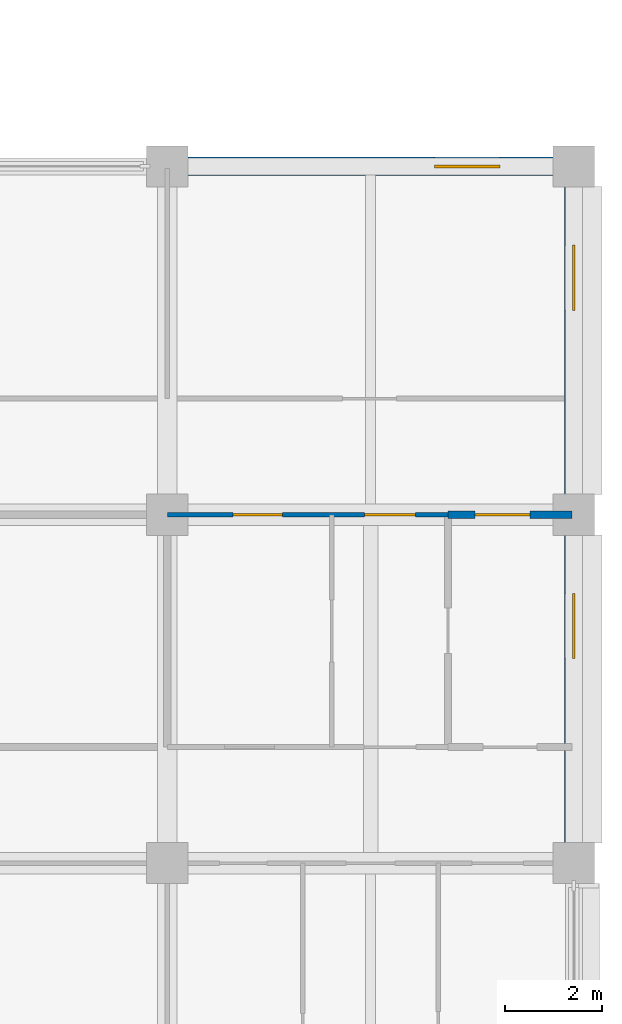
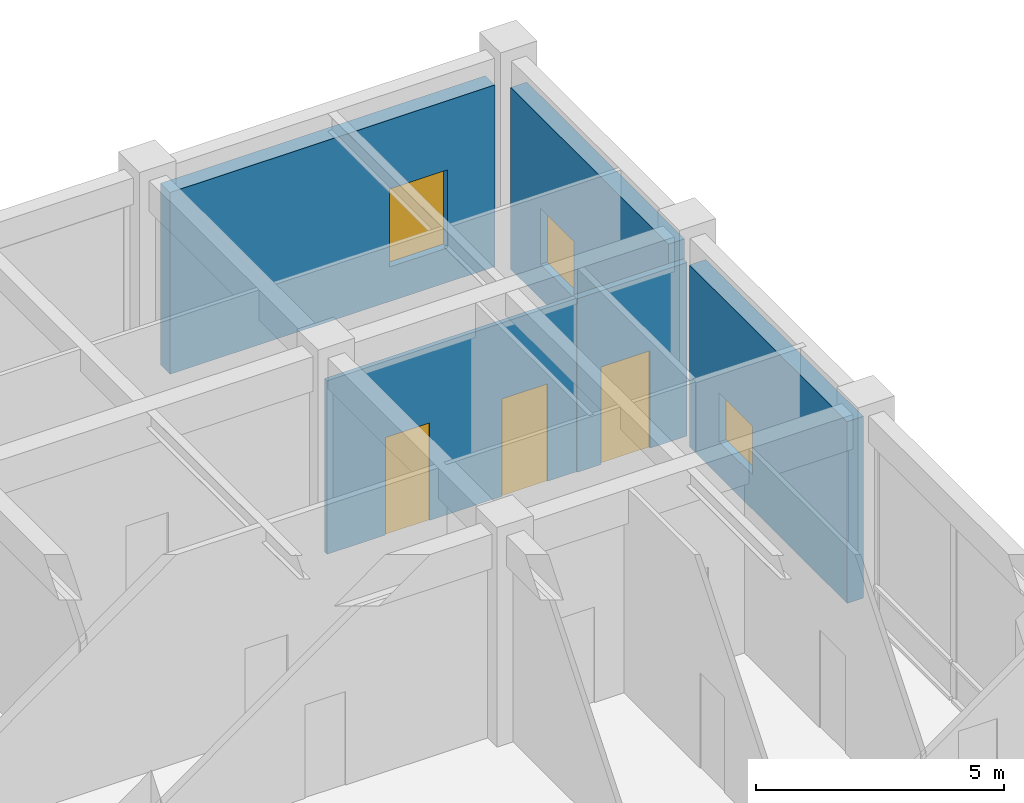
# One storey, part 42 of 51: 5 walls, 3 doors, 3 windows, 6 openings.
"""IFC4 building model written with IfcOpenShell, lengths in metres."""

from ifc_helpers import new_model, si_unit, direction, frame, frame_2d, origin, place, context, subcontext, project, spatial, rectangle, extrude, material, layer, layer_set, type_object, element, fill, save


model = new_model("IFC4")

# Units and contexts
model_context = context("Model", 3, precision=1e-05, world=origin(), true_north=direction((0.0, 1.0)))
body_context = subcontext(model_context, "Body", "Model", "MODEL_VIEW")
ifc_project = project(units=[si_unit("LENGTHUNIT", "METRE"), si_unit("AREAUNIT", "SQUARE_METRE"), si_unit("VOLUMEUNIT", "CUBIC_METRE"), si_unit("PLANEANGLEUNIT", "RADIAN"), si_unit("MASSUNIT", "GRAM", prefix="KILO")], contexts=[model_context])

# Site, building, storey
site_placement = place(None, origin())
site = spatial("IfcSite", under=ifc_project, at=site_placement, CompositionType="ELEMENT")
building_placement = place(site_placement, origin())
building = spatial("IfcBuilding", under=site, at=building_placement, Name="Chengyuan Square Courthouse", CompositionType="ELEMENT")
storey_placement = place(building_placement, frame((0.0, 0.0, 10.800048828125)))
storey = spatial("IfcBuildingStorey", under=building, at=storey_placement, Name="L03", CompositionType="ELEMENT", Elevation=10.800048828125)

# Wall, opening, window
ifc_material_1 = material(Name="Concrete C40", Category="concrete")
ifc_layer_1 = layer(ifc_material_1, 0.3798828125)
ifc_layer_set_1 = layer_set([ifc_layer_1], Name="Concrete C40")
wall_type_1 = type_object("IfcWallType", Name="WL-EW1", PredefinedType="STANDARD", material=ifc_layer_set_1)
wall_1_placement = place(storey_placement, frame((168.0, 94.02001953125, 0.0), z_axis=(0.0, 0.0, 1.0), x_axis=(0.0, 1.0, 0.0)))
wall_1 = element("IfcWall", 1, at=wall_1_placement, inside=storey, type_object=wall_type_1, Name="Exterior Wall WL-L03-E294", PredefinedType="STANDARD", context=body_context, shape_type="SweptSolid", body=[
    extrude(rectangle(XDim=6.35986328125, YDim=0.3798828125, at=frame_2d((3.179931640625, 0.0))), origin(), (0.0, 0.0, 1.0), 4.469970703125),
])
opening_1_placement = place(wall_1_placement, frame((3.804931640625, 0.0, 0.85009765625)))
opening_1 = element("IfcOpeningElement", 2, at=opening_1_placement, cuts=wall_1, Name="Opening WN-080", PredefinedType="OPENING", context=body_context, shape_type="SweptSolid", body=[
    extrude(rectangle(XDim=1.35009765625, YDim=1.199951171875, at=frame_2d((0.675048828125, 0.60009765625))), frame((0.0, 0.201904296875, 0.0), z_axis=(0.0, -1.0, 0.0), x_axis=(1.0, 0.0, 0.0)), (0.0, 0.0, 1.0), 0.40380859375),
])
ifc_material_2 = material(Name="Thermally Broken Aluminium Triple Low-E Window", Category="aluminium")
window_type_1 = type_object("IfcWindowType", Name="WT-19", PartitioningType="SINGLE_PANEL", PredefinedType="WINDOW", material=ifc_material_2)
window_1_placement = place(opening_1_placement, origin())
window_1 = element("IfcWindow", 3, at=window_1_placement, inside=storey, type_object=window_type_1, Name="Facade Window WN-080", OverallHeight=1.199951171875, OverallWidth=1.35009765625, PartitioningType="SINGLE_PANEL", PredefinedType="WINDOW", context=body_context, shape_type="SweptSolid", body=[
    extrude(rectangle(XDim=1.35009765625, YDim=1.199951171875, at=frame_2d((0.675048828125, 0.60009765625))), frame((0.0, 0.030029296875, 0.0), z_axis=(0.0, -1.0, 0.0), x_axis=(1.0, 0.0, 0.0)), (0.0, 0.0, 1.0), 0.06005859375),
])
fill(opening_1, window_1)

wall_2_placement = place(storey_placement, frame((160.02001953125, 108.0, 0.0), z_axis=(0.0, 0.0, 1.0), x_axis=(1.0, 0.0, 0.0)))
wall_2 = element("IfcWall", 4, at=wall_2_placement, inside=storey, type_object=wall_type_1, Name="Exterior Wall WL-L03-E295", PredefinedType="STANDARD", context=body_context, shape_type="SweptSolid", body=[
    extrude(rectangle(XDim=7.56005859375, YDim=0.3798828125, at=frame_2d((3.780029296875, 0.0))), origin(), (0.0, 0.0, 1.0), 4.469970703125),
])
opening_2_placement = place(wall_2_placement, frame((5.10498046875, 0.0, 0.85009765625)))
opening_2 = element("IfcOpeningElement", 5, at=opening_2_placement, cuts=wall_2, Name="Opening WN-081", PredefinedType="OPENING", context=body_context, shape_type="SweptSolid", body=[
    extrude(rectangle(XDim=1.35009765625, YDim=1.919921875, at=frame_2d((0.675048828125, 0.9599609375))), frame((0.0, 0.201904296875, 0.0), z_axis=(0.0, -1.0, 0.0), x_axis=(1.0, 0.0, 0.0)), (0.0, 0.0, 1.0), 0.40380859375),
])
window_type_2 = type_object("IfcWindowType", Name="WT-23", PartitioningType="SINGLE_PANEL", PredefinedType="WINDOW", material=ifc_material_2)
window_2_placement = place(opening_2_placement, origin())
window_2 = element("IfcWindow", 6, at=window_2_placement, inside=storey, type_object=window_type_2, Name="Facade Window WN-081", OverallHeight=1.919921875, OverallWidth=1.35009765625, PartitioningType="SINGLE_PANEL", PredefinedType="WINDOW", context=body_context, shape_type="SweptSolid", body=[
    extrude(rectangle(XDim=1.35009765625, YDim=1.919921875, at=frame_2d((0.675048828125, 0.9599609375))), frame((0.0, 0.030029296875, 0.0), z_axis=(0.0, -1.0, 0.0), x_axis=(1.0, 0.0, 0.0)), (0.0, 0.0, 1.0), 0.06005859375),
])
fill(opening_2, window_2)

wall_3_placement = place(storey_placement, frame((168.0, 101.219970703125, 0.0), z_axis=(0.0, 0.0, 1.0), x_axis=(0.0, 1.0, 0.0)))
wall_3 = element("IfcWall", 7, at=wall_3_placement, inside=storey, type_object=wall_type_1, Name="Exterior Wall WL-L03-E296", PredefinedType="STANDARD", context=body_context, shape_type="SweptSolid", body=[
    extrude(rectangle(XDim=6.360107421875, YDim=0.3798828125, at=frame_2d((3.18017578125, 0.0))), origin(), (0.0, 0.0, 1.0), 4.469970703125),
])
opening_3_placement = place(wall_3_placement, frame((3.804931640625, 0.0, 0.85009765625)))
opening_3 = element("IfcOpeningElement", 8, at=opening_3_placement, cuts=wall_3, Name="Opening WN-082", PredefinedType="OPENING", context=body_context, shape_type="SweptSolid", body=[
    extrude(rectangle(XDim=1.35009765625, YDim=1.3798828125, at=frame_2d((0.675048828125, 0.68994140625))), frame((0.0, 0.201904296875, 0.0), z_axis=(0.0, -1.0, 0.0), x_axis=(1.0, 0.0, 0.0)), (0.0, 0.0, 1.0), 0.40380859375),
])
window_type_3 = type_object("IfcWindowType", Name="WT-20", PartitioningType="SINGLE_PANEL", PredefinedType="WINDOW", material=ifc_material_2)
window_3_placement = place(opening_3_placement, origin())
window_3 = element("IfcWindow", 9, at=window_3_placement, inside=storey, type_object=window_type_3, Name="Facade Window WN-082", OverallHeight=1.3798828125, OverallWidth=1.35009765625, PartitioningType="SINGLE_PANEL", PredefinedType="WINDOW", context=body_context, shape_type="SweptSolid", body=[
    extrude(rectangle(XDim=1.35009765625, YDim=1.3798828125, at=frame_2d((0.675048828125, 0.68994140625))), frame((0.0, 0.030029296875, 0.0), z_axis=(0.0, -1.0, 0.0), x_axis=(1.0, 0.0, 0.0)), (0.0, 0.0, 1.0), 0.06005859375),
])
fill(opening_3, window_3)

# Wall, opening, door
ifc_material_3 = material(Name="Deliberation Room Sound-Insulated Partition")
ifc_layer_2 = layer(ifc_material_3, 0.14990234375)
ifc_layer_set_2 = layer_set([ifc_layer_2], Name="Deliberation Room Sound-Insulated Partition")
wall_type_2 = type_object("IfcWallType", Name="WL-PT3", PredefinedType="STANDARD", material=ifc_layer_set_2)
wall_4_placement = place(storey_placement, frame((165.39990234375, 100.800048828125, 0.0), z_axis=(0.0, 0.0, 1.0), x_axis=(1.0, 0.0, 0.0)))
wall_4 = element("IfcWall", 10, at=wall_4_placement, inside=storey, type_object=wall_type_2, Name="Interior Wall WL-L03-I1497", PredefinedType="STANDARD", context=body_context, shape_type="SweptSolid", body=[
    extrude(rectangle(XDim=2.56005859375, YDim=0.14990234375, at=frame_2d((1.280029296875, 0.0))), origin(), (0.0, 0.0, 1.0), 4.27001953125),
])
opening_4_placement = place(wall_4_placement, frame((0.5576171875, 0.0, 0.0)))
opening_4 = element("IfcOpeningElement", 11, at=opening_4_placement, cuts=wall_4, Name="Opening DR-1441", PredefinedType="OPENING", context=body_context, shape_type="SweptSolid", body=[
    extrude(rectangle(XDim=1.139892578125, YDim=2.39990234375, at=frame_2d((0.56982421875, 1.199951171875))), frame((0.0, 0.0869140625, 0.0), z_axis=(0.0, -1.0, 0.0), x_axis=(1.0, 0.0, 0.0)), (0.0, 0.0, 1.0), 0.173828125),
])
ifc_material_4 = material(Name="Acoustic Solid-Core Timber Door", Category="wood")
door_type_1 = type_object("IfcDoorType", Name="DT-43", OperationType="NOTDEFINED", PredefinedType="DOOR", material=ifc_material_4)
door_1_placement = place(opening_4_placement, origin())
door_1 = element("IfcDoor", 12, at=door_1_placement, inside=storey, type_object=door_type_1, Name="Interior Door DR-1441", OperationType="SINGLE_SWING_LEFT", OverallHeight=2.39990234375, OverallWidth=1.139892578125, PredefinedType="DOOR", context=body_context, shape_type="SweptSolid", body=[
    extrude(rectangle(XDim=1.139892578125, YDim=2.39990234375, at=frame_2d((0.56982421875, 1.199951171875))), frame((0.0, 0.02490234375, 0.0), z_axis=(0.0, -1.0, 0.0), x_axis=(1.0, 0.0, 0.0)), (0.0, 0.0, 1.0), 0.050048828125),
])
fill(opening_4, door_1)

# Wall, openings, doors
ifc_material_5 = material(Name="Gypsum Plasterboard Acoustic Stud Partition")
ifc_layer_3 = layer(ifc_material_5, 0.10009765625)
ifc_layer_set_3 = layer_set([ifc_layer_3], Name="Gypsum Plasterboard Acoustic Stud Partition")
wall_type_3 = type_object("IfcWallType", Name="WL-PT6", PredefinedType="STANDARD", material=ifc_layer_set_3)
wall_5_placement = place(storey_placement, frame((159.60009765625, 100.800048828125, 0.0), z_axis=(0.0, 0.0, 1.0), x_axis=(1.0, 0.0, 0.0)))
wall_5 = element("IfcWall", 13, at=wall_5_placement, inside=storey, type_object=wall_type_3, Name="Interior Wall WL-L03-I1496", PredefinedType="STANDARD", context=body_context, shape_type="SweptSolid", body=[
    extrude(rectangle(XDim=5.7998046875, YDim=0.10009765625, at=frame_2d((2.89990234375, 0.0))), origin(), (0.0, 0.0, 1.0), 4.27001953125),
])
opening_5_placement = place(wall_5_placement, frame((1.362548828125, 0.0, 0.0)))
opening_5 = element("IfcOpeningElement", 14, at=opening_5_placement, cuts=wall_5, Name="Opening DR-1439", PredefinedType="OPENING", context=body_context, shape_type="SweptSolid", body=[
    extrude(rectangle(XDim=1.02001953125, YDim=2.39990234375, at=frame_2d((0.510009765625, 1.199951171875))), frame((0.0, 0.06201171875, 0.0), z_axis=(0.0, -1.0, 0.0), x_axis=(1.0, 0.0, 0.0)), (0.0, 0.0, 1.0), 0.1240234375),
])
opening_6_placement = place(wall_5_placement, frame((4.070068359375, 0.0, 0.0)))
opening_6 = element("IfcOpeningElement", 15, at=opening_6_placement, cuts=wall_5, Name="Opening DR-1440", PredefinedType="OPENING", context=body_context, shape_type="SweptSolid", body=[
    extrude(rectangle(XDim=1.06005859375, YDim=2.39990234375, at=frame_2d((0.530029296875, 1.199951171875))), frame((0.0, 0.06201171875, 0.0), z_axis=(0.0, -1.0, 0.0), x_axis=(1.0, 0.0, 0.0)), (0.0, 0.0, 1.0), 0.1240234375),
])
door_type_2 = type_object("IfcDoorType", Name="DT-41", OperationType="NOTDEFINED", PredefinedType="DOOR", material=ifc_material_4)
door_2_placement = place(opening_5_placement, origin())
door_2 = element("IfcDoor", 16, at=door_2_placement, inside=storey, type_object=door_type_2, Name="Interior Door DR-1439", OperationType="SINGLE_SWING_LEFT", OverallHeight=2.39990234375, OverallWidth=1.02001953125, PredefinedType="DOOR", context=body_context, shape_type="SweptSolid", body=[
    extrude(rectangle(XDim=1.02001953125, YDim=2.39990234375, at=frame_2d((0.510009765625, 1.199951171875))), frame((0.0, 0.02490234375, 0.0), z_axis=(0.0, -1.0, 0.0), x_axis=(1.0, 0.0, 0.0)), (0.0, 0.0, 1.0), 0.050048828125),
])
fill(opening_5, door_2)
door_type_3 = type_object("IfcDoorType", Name="DT-42", OperationType="NOTDEFINED", PredefinedType="DOOR", material=ifc_material_4)
door_3_placement = place(opening_6_placement, origin())
door_3 = element("IfcDoor", 17, at=door_3_placement, inside=storey, type_object=door_type_3, Name="Interior Door DR-1440", OperationType="SINGLE_SWING_RIGHT", OverallHeight=2.39990234375, OverallWidth=1.06005859375, PredefinedType="DOOR", context=body_context, shape_type="SweptSolid", body=[
    extrude(rectangle(XDim=1.06005859375, YDim=2.39990234375, at=frame_2d((0.530029296875, 1.199951171875))), frame((0.0, 0.02490234375, 0.0), z_axis=(0.0, -1.0, 0.0), x_axis=(1.0, 0.0, 0.0)), (0.0, 0.0, 1.0), 0.050048828125),
])
fill(opening_6, door_3)

save(model, "model.ifc")
